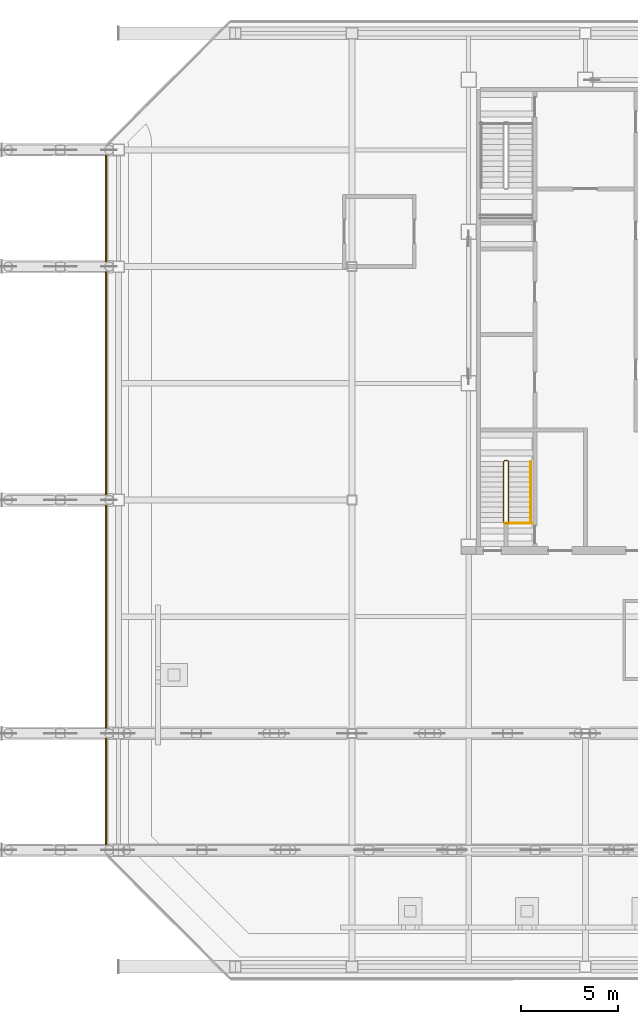
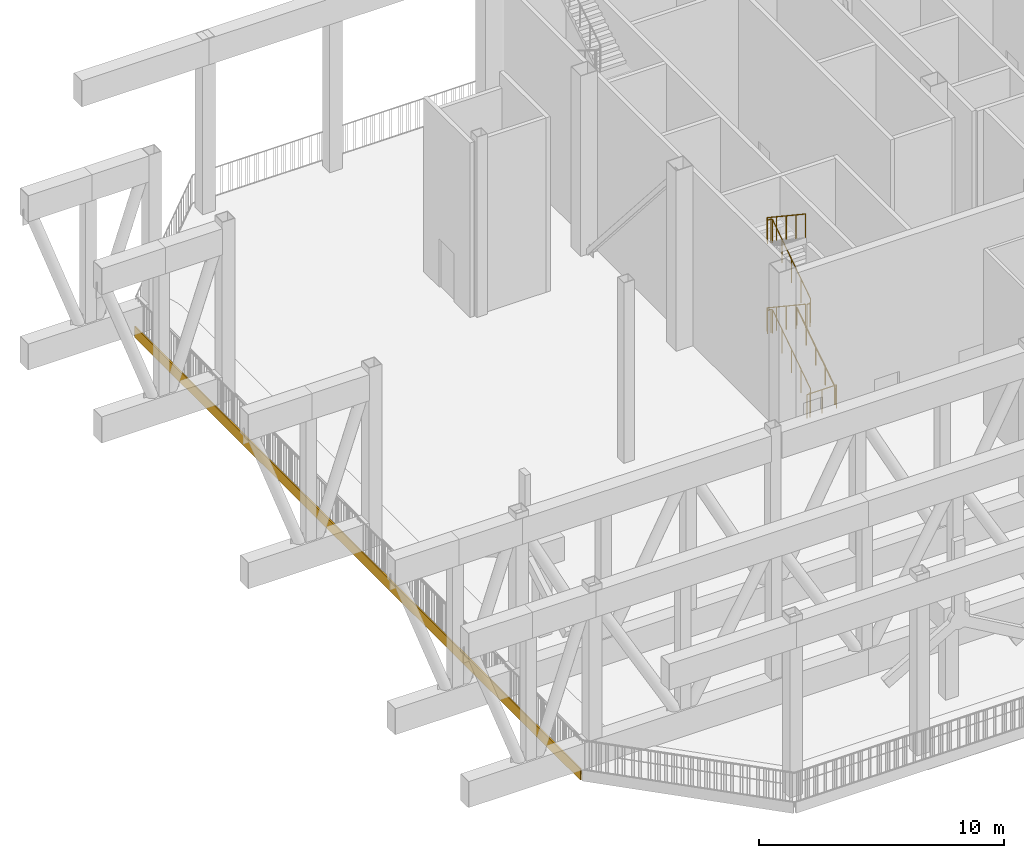
# One storey, part 17 of 22: 4 railings, 1 covering.
"""IFC4 building model written with IfcOpenShell, lengths in metres."""

import ifcopenshell
import ifcopenshell.guid

model = None  # the IFC model being written
_history = None  # IfcOwnerHistory: only IFC2X3 demands one
_inside = {}  # id of a spatial element -> (the spatial element, [elements in it])
_under = {}  # id of a project, library or spatial element -> (it, [spatial elements below it])
_declared = {}  # id of a project -> (the project, [libraries it declares])
_typed = {}  # id of a type object -> (the type object, [elements of that type])
_made_of = {}  # id of a material, layer set ... -> (it, [elements and type objects made of it])


def new_model(schema):
    """Start an empty IFC model of exactly this schema.

    Asked for "IFC4X3", IfcOpenShell would pick the latest addendum, in which some entities
    have other attributes; the version numbers below select the first issue.
    IFC2X3 requires an IfcOwnerHistory on every rooted entity: one is made here for all.
    """
    global model, _history
    if schema == "IFC4X3":
        model = ifcopenshell.file(schema_version=(4, 3, 0, 0))
    else:
        model = ifcopenshell.file(schema=schema)
    _inside.clear()
    _under.clear()
    _declared.clear()
    _typed.clear()
    _made_of.clear()
    _history = None
    if model.schema == "IFC2X3":
        org = make("IfcOrganization", Name="unknown")
        user = make(
            "IfcPersonAndOrganization",
            ThePerson=make("IfcPerson", FamilyName="unknown"),
            TheOrganization=org,
        )
        app = make(
            "IfcApplication",
            ApplicationDeveloper=org,
            Version="unknown",
            ApplicationFullName="unknown",
            ApplicationIdentifier="unknown",
        )
        _history = make(
            "IfcOwnerHistory",
            OwningUser=user,
            OwningApplication=app,
            ChangeAction="ADDED",
            CreationDate=0,
        )
    return model


def make(cls, **values):
    """One entity of the class cls with the attributes given. An attribute that is None is left unset."""
    return model.create_entity(
        cls, **{name: value for name, value in values.items() if value is not None}
    )


def rooted(cls, **values):
    """An entity with a GlobalId (a new one), such as an element, a storey or a relation."""
    return make(cls, GlobalId=ifcopenshell.guid.new(), OwnerHistory=_history, **values)


def si_unit(unit_type, name, prefix=None):
    """IfcSIUnit, for example si_unit("LENGTHUNIT", "METRE", prefix="MILLI")."""
    return make("IfcSIUnit", UnitType=unit_type, Prefix=prefix, Name=name)


def assignment(units):
    """IfcUnitAssignment: the units of a project."""
    return None if units is None else make("IfcUnitAssignment", Units=units)


def point(xyz):
    """IfcCartesianPoint."""
    return None if xyz is None else make("IfcCartesianPoint", Coordinates=xyz)


def direction(xyz):
    """IfcDirection."""
    return None if xyz is None else make("IfcDirection", DirectionRatios=xyz)


def frame(location, z_axis=None, x_axis=None):
    """IfcAxis2Placement3D, a coordinate frame: its origin and axes. An axis left out is left unset."""
    return make(
        "IfcAxis2Placement3D",
        Location=point(location),
        Axis=direction(z_axis),
        RefDirection=direction(x_axis),
    )


def frame_2d(location, x_axis=None):
    """IfcAxis2Placement2D, a coordinate frame in the plane: its origin and x axis."""
    return make(
        "IfcAxis2Placement2D", Location=point(location), RefDirection=direction(x_axis)
    )


def origin():
    """The frame at (0, 0, 0) with its axes left unset."""
    return frame((0.0, 0.0, 0.0))


def origin_2d():
    """The frame at (0, 0) in the plane with its x axis left unset."""
    return frame_2d((0.0, 0.0))


def place(relative_to, where):
    """IfcLocalPlacement: puts the frame where relative to a parent placement (None: the world)."""
    return make(
        "IfcLocalPlacement", PlacementRelTo=relative_to, RelativePlacement=where
    )


def context(
    kind, dimensions, precision=None, world=None, true_north=None, identifier=None
):
    """IfcGeometricRepresentationContext, for example the 3D "Model" context."""
    return make(
        "IfcGeometricRepresentationContext",
        ContextIdentifier=identifier,
        ContextType=kind,
        CoordinateSpaceDimension=dimensions,
        Precision=precision,
        WorldCoordinateSystem=world,
        TrueNorth=true_north,
    )


def subcontext(parent, identifier, kind, view, scale=None):
    """IfcGeometricRepresentationSubContext, for example "Body" below "Model"."""
    return make(
        "IfcGeometricRepresentationSubContext",
        ContextIdentifier=identifier,
        ContextType=kind,
        ParentContext=parent,
        TargetScale=scale,
        TargetView=view,
    )


def project(units=None, contexts=None):
    """IfcProject with its units and contexts."""
    return rooted(
        "IfcProject",
        Name="project",
        RepresentationContexts=contexts,
        UnitsInContext=assignment(units),
    )


def spatial(cls, under=None, at=None, **own):
    """A site, building, storey or space (cls), placed at a placement, below another one or the project."""
    s = rooted(cls, ObjectPlacement=at, **own)
    if under is not None:
        _under.setdefault(under.id(), (under, []))[1].append(s)
    return s


def polyline(points):
    """IfcPolyline through the points."""
    return make("IfcPolyline", Points=[point(p) for p in points])


def profile(cls, at=None, kind="AREA", **sizes):
    """A parametric profile (cls). Its sizes go by their IFC names, for example OverallWidth=200.0."""
    return make(cls, ProfileType=kind, Position=at, **sizes)


def circle(**sizes):
    """IfcCircleProfileDef."""
    return profile("IfcCircleProfileDef", **sizes)


def outline(outer, holes=None, kind="AREA"):
    """IfcArbitraryClosedProfileDef: a profile drawn as a closed curve; with holes, ...WithVoids."""
    if holes is None:
        return make("IfcArbitraryClosedProfileDef", ProfileType=kind, OuterCurve=outer)
    return make(
        "IfcArbitraryProfileDefWithVoids",
        ProfileType=kind,
        OuterCurve=outer,
        InnerCurves=holes,
    )


def extrude(swept, where, along, depth):
    """IfcExtrudedAreaSolid: the profile swept, set in the frame where, extruded along a direction by depth."""
    return make(
        "IfcExtrudedAreaSolid",
        SweptArea=swept,
        Position=where,
        ExtrudedDirection=direction(along),
        Depth=depth,
    )


def shape(context_of_items, identifier, shape_type, items):
    """IfcShapeRepresentation: the items that make up one representation, for example the "Body"."""
    return make(
        "IfcShapeRepresentation",
        ContextOfItems=context_of_items,
        RepresentationIdentifier=identifier,
        RepresentationType=shape_type,
        Items=items,
    )


def material(Name=None, Category=None):
    """IfcMaterial."""
    return make("IfcMaterial", Name=Name, Category=Category)


def layer(
    of_material, thickness, ventilated=None, Name=None, Category=None, Priority=None
):
    """IfcMaterialLayer: one layer of a wall or slab, of a material (None: an air gap)."""
    return make(
        "IfcMaterialLayer",
        Material=of_material,
        LayerThickness=thickness,
        IsVentilated=ventilated,
        Name=Name,
        Category=Category,
        Priority=Priority,
    )


def layer_set(layers, Name=None):
    """IfcMaterialLayerSet."""
    return make("IfcMaterialLayerSet", MaterialLayers=layers, LayerSetName=Name)


def made_of(thing, what):
    """Note that an element or type object is made of a material, layer set ...; save() writes the relation."""
    if what is not None:
        _made_of.setdefault(what.id(), (what, []))[1].append(thing)
    return thing


def type_object(cls, material=None, **own):
    """A type object (cls), such as IfcWallType, which elements share."""
    return made_of(rooted(cls, **own), material)


def element(
    cls,
    number,
    at=None,
    inside=None,
    cuts=None,
    type_object=None,
    material=None,
    context=None,
    identifier="Body",
    shape_type=None,
    held_by="IfcProductDefinitionShape",
    body=None,
    shapes=None,
    **own,
):
    """One element of the class cls, such as IfcWall. Its Tag is "e" and its number.

    at: its placement. inside: the storey or other place that contains it. cuts: it is an
    opening in that element (IfcRelVoidsElement). A single representation is given by context,
    identifier, shape_type and body (its items); several are given by shapes. held_by: the class
    of the entity that holds the representations. save() writes the other relations.
    """
    e = rooted(cls, Tag="e%d" % number, ObjectPlacement=at, **own)
    if body is not None:
        shapes = [shape(context, identifier, shape_type, body)]
    if shapes is not None:
        e.Representation = make(held_by, Representations=shapes)
    if inside is not None:
        _inside.setdefault(inside.id(), (inside, []))[1].append(e)
    if cuts is not None:
        rooted(
            "IfcRelVoidsElement", RelatingBuildingElement=cuts, RelatedOpeningElement=e
        )
    if type_object is not None:
        _typed.setdefault(type_object.id(), (type_object, []))[1].append(e)
    return made_of(e, material)


def aggregate(whole, parts):
    """IfcRelAggregates: a whole, such as a stair, and the parts it consists of."""
    return rooted("IfcRelAggregates", RelatingObject=whole, RelatedObjects=parts)


def save(model, path):
    """Write the relations noted so far, then the file.

    IfcRelAggregates (storeys below a building ...), IfcRelContainedInSpatialStructure (elements
    in a storey), IfcRelDefinesByType, IfcRelAssociatesMaterial and IfcRelDeclares: one each for
    every whole, place, type object, material and project.
    """
    for whole, parts in _under.values():
        aggregate(whole, parts)
    for where, things in _inside.values():
        rooted(
            "IfcRelContainedInSpatialStructure",
            RelatedElements=things,
            RelatingStructure=where,
        )
    for kind, things in _typed.values():
        rooted("IfcRelDefinesByType", RelatedObjects=things, RelatingType=kind)
    for what, things in _made_of.values():
        rooted("IfcRelAssociatesMaterial", RelatedObjects=things, RelatingMaterial=what)
    for by, libraries in _declared.values():
        rooted("IfcRelDeclares", RelatingContext=by, RelatedDefinitions=libraries)
    model.write(path)


model = new_model("IFC4")

# Units and contexts
model_context = context("Model", 3, precision=1e-05, world=origin(), true_north=direction((0.0, 1.0)))
body_context = subcontext(model_context, "Body", "Model", "MODEL_VIEW")
ifc_project = project(units=[si_unit("LENGTHUNIT", "METRE"), si_unit("AREAUNIT", "SQUARE_METRE"), si_unit("VOLUMEUNIT", "CUBIC_METRE"), si_unit("PLANEANGLEUNIT", "RADIAN"), si_unit("MASSUNIT", "GRAM", prefix="KILO")], contexts=[model_context])

# Site, building, storey
site_placement = place(None, origin())
site = spatial("IfcSite", under=ifc_project, at=site_placement, CompositionType="ELEMENT")
building_placement = place(site_placement, origin())
building = spatial("IfcBuilding", under=site, at=building_placement, Name="Sorahane Residences", CompositionType="ELEMENT")
storey_placement = place(building_placement, frame((0.0, 0.0, 281.800048828125)))
storey = spatial("IfcBuildingStorey", under=building, at=storey_placement, Name="L67", CompositionType="ELEMENT", Elevation=281.800048828125)

# Covering
ifc_material_1 = material(Name="White painted aluminium cladding", Category="aluminium")
ifc_layer = layer(ifc_material_1, 0.06005859375)
ifc_layer_set = layer_set([ifc_layer], Name="Slab edge fascia band white painted aluminium 550")
covering_type = type_object("IfcCoveringType", Name="Slab edge fascia band white painted aluminium 550", PredefinedType="CLADDING", material=ifc_layer_set)
covering_placement = place(storey_placement, frame((-12.60009765625, 42.228515625, -0.275146484375), z_axis=(0.0, -1.0, 0.0), x_axis=(1.0, 0.0, 0.0)))
element("IfcCovering", 1, at=covering_placement, inside=storey, type_object=covering_type, Name="Slab edge fascia white L67 W1", PredefinedType="CLADDING", context=body_context, shape_type="SweptSolid", body=[
    extrude(outline(polyline([(-0.02001953125, 0.27490234375), (-0.080078125, 0.27490234375), (-0.080078125, -0.27490234375), (-0.02001953125, -0.27490234375), (-0.02001953125, 0.27490234375)])), origin(), (0.0, 0.0, 1.0), 36.45703125),
])

# Railings
ifc_material_2 = material(Name="Steel Q355B", Category="steel")
railing_type_1 = type_object("IfcRailingType", Name="Stair guard 1200 Steel Q355B", PredefinedType="GUARDRAIL", material=ifc_material_2)
railing_1_placement = place(storey_placement, frame((9.25, 22.800048828125, 0.0)))
element("IfcRailing", 2, at=railing_1_placement, inside=storey, type_object=railing_type_1, Name="L67 S4 top well guard 1", PredefinedType="GUARDRAIL", context=body_context, shape_type="SweptSolid", body=[
    extrude(circle(Radius=0.02392578125, at=origin_2d()), frame((0.0, 0.0, 1.17578125), z_axis=(-1.0, 0.0, 0.0), x_axis=(0.0, -1.0, 0.0)), (0.0, 0.0, 1.0), 1.39990234375),
    extrude(circle(Radius=0.02099609375, at=origin_2d()), origin(), (0.0, 0.0, 1.0), 1.15185546875),
    extrude(circle(Radius=0.02099609375, at=origin_2d()), frame((-0.699951171875, 0.0, 0.0)), (0.0, 0.0, 1.0), 1.15185546875),
    extrude(circle(Radius=0.02099609375, at=origin_2d()), frame((-1.39990234375, 0.0, 0.0)), (0.0, 0.0, 1.0), 1.15185546875),
])
railing_2_placement = place(storey_placement, frame((7.85009765625, 22.800048828125, 0.0)))
element("IfcRailing", 3, at=railing_2_placement, inside=storey, type_object=railing_type_1, Name="L67 S4 stair guard 1", PredefinedType="GUARDRAIL", context=body_context, shape_type="SweptSolid", body=[
    extrude(circle(Radius=0.02392578125, at=origin_2d()), frame((0.0, 0.0, 1.17578125), z_axis=(1.0, 0.0, 0.0), x_axis=(0.0, 1.0, 0.0)), (0.0, 0.0, 1.0), 0.14990234375),
    extrude(circle(Radius=0.02392578125, at=origin_2d()), frame((0.14990234375, 0.0, 1.17578125), z_axis=(0.267629722418, 0.267629722418, 0.925607186314), x_axis=(-0.707106781187, 0.707106781187, 0.0)), (0.0, 0.0, 1.0), 0.18701171875),
    extrude(circle(Radius=0.02392578125, at=origin_2d()), frame((0.199951171875, 0.050048828125, 1.34912109375), z_axis=(0.0, 0.832420903958, 0.554143879018), x_axis=(-1.0, 0.0, 0.0)), (0.0, 0.0, 1.0), 3.748046875),
    extrude(circle(Radius=0.02392578125, at=origin_2d()), frame((0.199951171875, 3.169921875, 3.42578125), z_axis=(-0.707106781187, 0.707106781187, 0.0), x_axis=(-0.707106781187, -0.707106781187, 0.0)), (0.0, 0.0, 1.0), 0.07080078125),
    extrude(circle(Radius=0.02392578125, at=origin_2d()), frame((0.14990234375, 3.219970703125, 3.42578125), z_axis=(-1.0, 0.0, 0.0), x_axis=(0.0, -1.0, 0.0)), (0.0, 0.0, 1.0), 0.14990234375),
    extrude(circle(Radius=0.02392578125, at=origin_2d()), frame((0.0, 3.219970703125, 3.42578125), z_axis=(-0.267629722418, -0.267629722418, 0.925607186314), x_axis=(0.707106781187, -0.707106781187, 0.0)), (0.0, 0.0, 1.0), 0.18701171875),
    extrude(circle(Radius=0.02392578125, at=origin_2d()), frame((-0.050048828125, 3.169921875, 3.59912109375), z_axis=(0.0, -0.832420903958, 0.554143879018), x_axis=(1.0, 0.0, 0.0)), (0.0, 0.0, 1.0), 3.748046875),
    extrude(circle(Radius=0.02099609375, at=origin_2d()), origin(), (0.0, 0.0, 1.0), 1.15185546875),
    extrude(circle(Radius=0.02099609375, at=origin_2d()), frame((0.14990234375, 0.0, 0.0)), (0.0, 0.0, 1.0), 1.15185546875),
    extrude(circle(Radius=0.02099609375, at=origin_2d()), frame((0.199951171875, 0.050048828125, 0.173095703125)), (0.0, 0.0, 1.0), 1.15185546875),
    extrude(circle(Radius=0.02099609375, at=origin_2d()), frame((0.199951171875, 0.830078125, 0.6923828125)), (0.0, 0.0, 1.0), 1.15185546875),
    extrude(circle(Radius=0.02099609375, at=origin_2d()), frame((0.199951171875, 1.60986328125, 1.21142578125)), (0.0, 0.0, 1.0), 1.15185546875),
    extrude(circle(Radius=0.02099609375, at=origin_2d()), frame((0.199951171875, 2.389892578125, 1.730712890625)), (0.0, 0.0, 1.0), 1.15185546875),
    extrude(circle(Radius=0.02099609375, at=origin_2d()), frame((0.199951171875, 3.169921875, 2.25)), (0.0, 0.0, 1.0), 1.15185546875),
    extrude(circle(Radius=0.02099609375, at=origin_2d()), frame((0.14990234375, 3.219970703125, 2.25)), (0.0, 0.0, 1.0), 1.15185546875),
    extrude(circle(Radius=0.02099609375, at=origin_2d()), frame((0.0, 3.219970703125, 2.25)), (0.0, 0.0, 1.0), 1.15185546875),
    extrude(circle(Radius=0.02099609375, at=origin_2d()), frame((-0.050048828125, 3.169921875, 2.423095703125)), (0.0, 0.0, 1.0), 1.15185546875),
    extrude(circle(Radius=0.02099609375, at=origin_2d()), frame((-0.050048828125, 2.389892578125, 2.9423828125)), (0.0, 0.0, 1.0), 1.15185546875),
    extrude(circle(Radius=0.02099609375, at=origin_2d()), frame((-0.050048828125, 1.60986328125, 3.46142578125)), (0.0, 0.0, 1.0), 1.15185546875),
    extrude(circle(Radius=0.02099609375, at=origin_2d()), frame((-0.050048828125, 0.830078125, 3.980712890625)), (0.0, 0.0, 1.0), 1.15185546875),
    extrude(circle(Radius=0.02099609375, at=origin_2d()), frame((-0.050048828125, 0.050048828125, 4.5)), (0.0, 0.0, 1.0), 1.15185546875),
])
railing_3_placement = place(storey_placement, frame((7.85009765625, 22.800048828125, 4.5)))
element("IfcRailing", 4, at=railing_3_placement, inside=storey, type_object=railing_type_1, Name="L67 S4 stair guard 2", PredefinedType="GUARDRAIL", context=body_context, shape_type="SweptSolid", body=[
    extrude(circle(Radius=0.02392578125, at=origin_2d()), frame((0.0, 0.0, 1.17578125), z_axis=(1.0, 0.0, 0.0), x_axis=(0.0, 1.0, 0.0)), (0.0, 0.0, 1.0), 0.14990234375),
    extrude(circle(Radius=0.02392578125, at=origin_2d()), frame((0.14990234375, 0.0, 1.17578125), z_axis=(0.267629722418, 0.267629722418, 0.925607186314), x_axis=(-0.707106781187, 0.707106781187, 0.0)), (0.0, 0.0, 1.0), 0.18701171875),
    extrude(circle(Radius=0.02392578125, at=origin_2d()), frame((0.199951171875, 0.050048828125, 1.34912109375), z_axis=(0.0, 0.832420903958, 0.554143879018), x_axis=(-1.0, 0.0, 0.0)), (0.0, 0.0, 1.0), 3.748046875),
    extrude(circle(Radius=0.02392578125, at=origin_2d()), frame((0.199951171875, 3.169921875, 3.42578125), z_axis=(-0.707106781187, 0.707106781187, 0.0), x_axis=(-0.707106781187, -0.707106781187, 0.0)), (0.0, 0.0, 1.0), 0.07080078125),
    extrude(circle(Radius=0.02392578125, at=origin_2d()), frame((0.14990234375, 3.219970703125, 3.42578125), z_axis=(-1.0, 0.0, 0.0), x_axis=(0.0, -1.0, 0.0)), (0.0, 0.0, 1.0), 0.14990234375),
    extrude(circle(Radius=0.02392578125, at=origin_2d()), frame((0.0, 3.219970703125, 3.42578125), z_axis=(-0.267629722418, -0.267629722418, 0.925607186314), x_axis=(0.707106781187, -0.707106781187, 0.0)), (0.0, 0.0, 1.0), 0.18701171875),
    extrude(circle(Radius=0.02392578125, at=origin_2d()), frame((-0.050048828125, 3.169921875, 3.59912109375), z_axis=(0.0, -0.832420903958, 0.554143879018), x_axis=(1.0, 0.0, 0.0)), (0.0, 0.0, 1.0), 3.748046875),
    extrude(circle(Radius=0.02099609375, at=origin_2d()), origin(), (0.0, 0.0, 1.0), 1.15185546875),
    extrude(circle(Radius=0.02099609375, at=origin_2d()), frame((0.14990234375, 0.0, 0.0)), (0.0, 0.0, 1.0), 1.15185546875),
    extrude(circle(Radius=0.02099609375, at=origin_2d()), frame((0.199951171875, 0.050048828125, 0.173095703125)), (0.0, 0.0, 1.0), 1.15185546875),
    extrude(circle(Radius=0.02099609375, at=origin_2d()), frame((0.199951171875, 0.830078125, 0.6923828125)), (0.0, 0.0, 1.0), 1.15185546875),
    extrude(circle(Radius=0.02099609375, at=origin_2d()), frame((0.199951171875, 1.60986328125, 1.21142578125)), (0.0, 0.0, 1.0), 1.15185546875),
    extrude(circle(Radius=0.02099609375, at=origin_2d()), frame((0.199951171875, 2.389892578125, 1.730712890625)), (0.0, 0.0, 1.0), 1.15185546875),
    extrude(circle(Radius=0.02099609375, at=origin_2d()), frame((0.199951171875, 3.169921875, 2.25)), (0.0, 0.0, 1.0), 1.15185546875),
    extrude(circle(Radius=0.02099609375, at=origin_2d()), frame((0.14990234375, 3.219970703125, 2.25)), (0.0, 0.0, 1.0), 1.15185546875),
    extrude(circle(Radius=0.02099609375, at=origin_2d()), frame((0.0, 3.219970703125, 2.25)), (0.0, 0.0, 1.0), 1.15185546875),
    extrude(circle(Radius=0.02099609375, at=origin_2d()), frame((-0.050048828125, 3.169921875, 2.423095703125)), (0.0, 0.0, 1.0), 1.15185546875),
    extrude(circle(Radius=0.02099609375, at=origin_2d()), frame((-0.050048828125, 2.389892578125, 2.9423828125)), (0.0, 0.0, 1.0), 1.15185546875),
    extrude(circle(Radius=0.02099609375, at=origin_2d()), frame((-0.050048828125, 1.60986328125, 3.46142578125)), (0.0, 0.0, 1.0), 1.15185546875),
    extrude(circle(Radius=0.02099609375, at=origin_2d()), frame((-0.050048828125, 0.830078125, 3.980712890625)), (0.0, 0.0, 1.0), 1.15185546875),
    extrude(circle(Radius=0.02099609375, at=origin_2d()), frame((-0.050048828125, 0.050048828125, 4.5)), (0.0, 0.0, 1.0), 1.15185546875),
])
ifc_material_3 = material(Name="Steel Q355B", Category="steel")
railing_type_2 = type_object("IfcRailingType", Name="Stair handrail 900 Steel Q355B", PredefinedType="HANDRAIL", material=ifc_material_3)
railing_4_placement = place(storey_placement, frame((9.199951171875, 22.85009765625, 0.173095703125)))
element("IfcRailing", 5, at=railing_4_placement, inside=storey, type_object=railing_type_2, Name="L67 S4 stair handrail 1", PredefinedType="HANDRAIL", context=body_context, shape_type="SweptSolid", body=[
    extrude(circle(Radius=0.02392578125, at=origin_2d()), frame((0.0, 0.0, 0.8759765625), z_axis=(0.0, 0.832420903958, 0.554143879018), x_axis=(-1.0, 0.0, 0.0)), (0.0, 0.0, 1.0), 3.748046875),
    extrude(circle(Radius=0.02099609375, at=origin_2d()), origin(), (0.0, 0.0, 1.0), 0.851806640625),
    extrude(circle(Radius=0.02099609375, at=origin_2d()), frame((0.0, 0.780029296875, 0.519287109375)), (0.0, 0.0, 1.0), 0.851806640625),
    extrude(circle(Radius=0.02099609375, at=origin_2d()), frame((0.0, 1.56005859375, 1.03857421875)), (0.0, 0.0, 1.0), 0.851806640625),
    extrude(circle(Radius=0.02099609375, at=origin_2d()), frame((0.0, 2.33984375, 1.5576171875)), (0.0, 0.0, 1.0), 0.851806640625),
    extrude(circle(Radius=0.02099609375, at=origin_2d()), frame((0.0, 3.119873046875, 2.076904296875)), (0.0, 0.0, 1.0), 0.851806640625),
])

save(model, "model.ifc")
